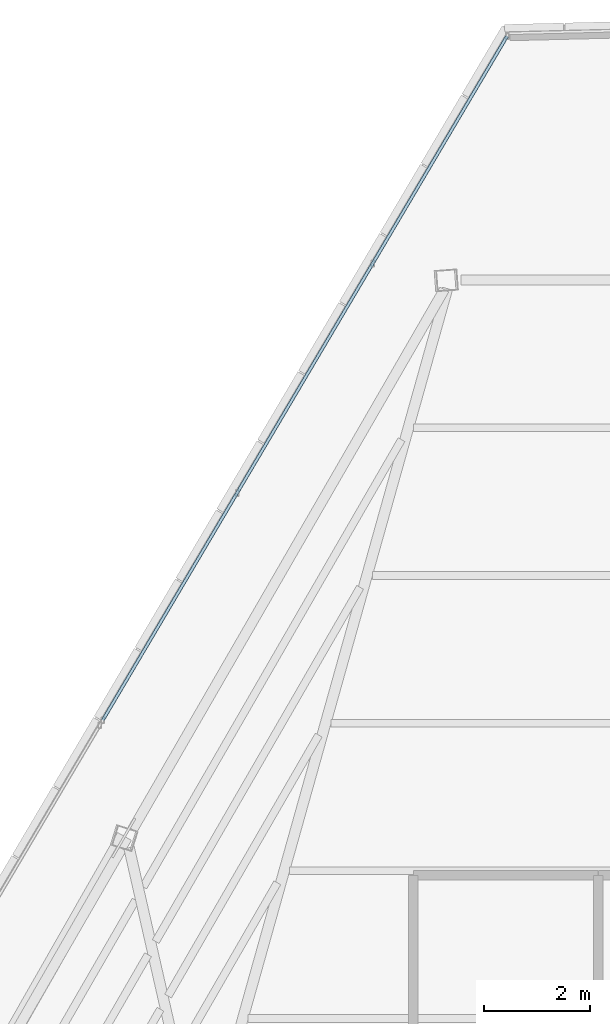
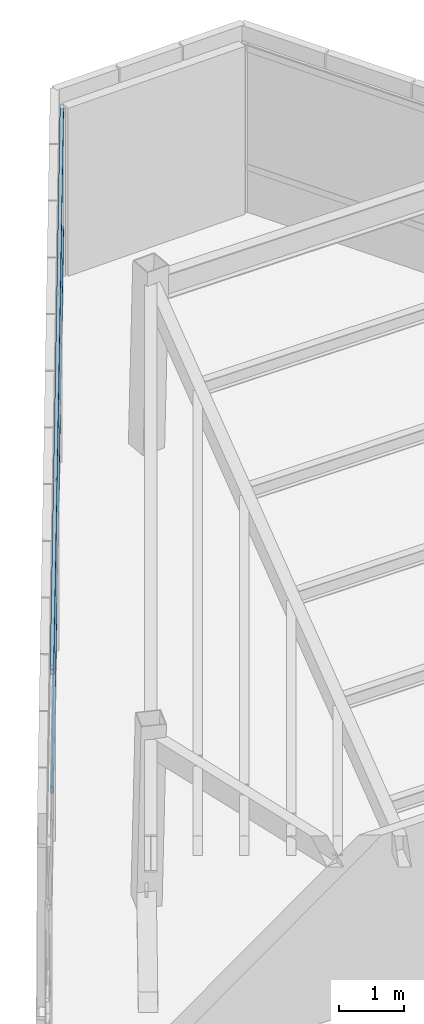
# One storey, part 33 of 44: 2 members, 1 element without a shape of its own.
"""IFC4 building model written with IfcOpenShell, lengths in metres."""

from ifc_helpers import new_model, si_unit, direction, frame, origin, origin_2d, place, context, subcontext, project, spatial, hollow_rectangle, extrude, source, transform, mapped, material, material_profile, profile_set, type_object, type_shapes, element, aggregate, save


model = new_model("IFC4")

# Units and contexts
model_context = context("Model", 3, precision=1e-05, world=origin(), true_north=direction((0.0, 1.0)))
body_context = subcontext(model_context, "Body", "Model", "MODEL_VIEW")
ifc_project = project(units=[si_unit("LENGTHUNIT", "METRE"), si_unit("AREAUNIT", "SQUARE_METRE"), si_unit("VOLUMEUNIT", "CUBIC_METRE"), si_unit("PLANEANGLEUNIT", "RADIAN"), si_unit("MASSUNIT", "GRAM", prefix="KILO")], contexts=[model_context])

# Site, building, storey
site_placement = place(None, origin())
site = spatial("IfcSite", under=ifc_project, at=site_placement, CompositionType="ELEMENT")
building_placement = place(site_placement, origin())
building = spatial("IfcBuilding", under=site, at=building_placement, Name="Caelisora Broadcast Tower", CompositionType="ELEMENT")
storey_placement = place(building_placement, frame((0.0, 0.0, 296.60009765625)))
storey = spatial("IfcBuildingStorey", under=building, at=storey_placement, Name="L78", CompositionType="ELEMENT", Elevation=296.60009765625)

# Curtain wall, members
ifc_material_1 = material(Name="Unitised Aluminium Insulated Shadow-Box Spandrel Curtain Wall", Category="aluminium")
curtain_wall_type = type_object("IfcCurtainWallType", Name="CW-SP3", PredefinedType="NOTDEFINED", material=ifc_material_1)
curtain_wall_placement = place(storey_placement, origin())
curtain_wall = element("IfcCurtainWall", 1, at=curtain_wall_placement, inside=storey, type_object=curtain_wall_type, Name="L78 curtain wall CW-SP3", PredefinedType="NOTDEFINED")
ifc_material_2 = material(Name="Aluminium 6063-T6 Anodised Terracotta Bronze", Category="aluminium")
ifc_material_profile = material_profile(ifc_material_2, hollow_rectangle(XDim=0.06005859375, YDim=0.1201171875, WallThickness=0.0029296875, at=origin_2d()), Name="Aluminium 6063-T6 Anodised Terracotta Bronze")
ifc_profile_set = profile_set([ifc_material_profile], Name="Aluminium 6063-T6 Anodised Terracotta Bronze")
member_type = type_object("IfcMemberType", Name="CWT-03", PredefinedType="USERDEFINED", material=ifc_profile_set)
shared_shape = source(origin(), body_context, "Body", "SweptSolid", [
    extrude(hollow_rectangle(XDim=0.06005859375, YDim=0.1201171875, WallThickness=0.0029296875, at=origin_2d()), origin(), (0.0, 0.0, 1.0), 15.02099609375),
])
type_shapes(member_type, [shared_shape])
member_1_placement = place(storey_placement, frame((28.6357421875, 38.4306640625, 0.849853515625), z_axis=(0.508805423749, 0.860881548625, 0.0), x_axis=(-0.860881548625, 0.508805423749, 0.0)))
member_1 = element("IfcMember", 2, at=member_1_placement, type_object=member_type, Name="L78-CW-B11 transom #1", ObjectType="TRANSOM", PredefinedType="USERDEFINED", context=body_context, shape_type="MappedRepresentation", body=[
    mapped(shared_shape, transform((0.0, 0.0, 0.0), scale=1.0)),
])
member_2_placement = place(storey_placement, frame((28.6357421875, 38.4306640625, 3.06982421875), z_axis=(0.508805423749, 0.860881548625, 0.0), x_axis=(-0.860881548625, 0.508805423749, 0.0)))
member_2 = element("IfcMember", 3, at=member_2_placement, type_object=member_type, Name="L78-CW-B11 transom #2", ObjectType="TRANSOM", PredefinedType="USERDEFINED", context=body_context, shape_type="MappedRepresentation", body=[
    mapped(shared_shape, transform((0.0, 0.0, 0.0), scale=1.0)),
])
aggregate(curtain_wall, [member_1, member_2])

save(model, "model.ifc")
